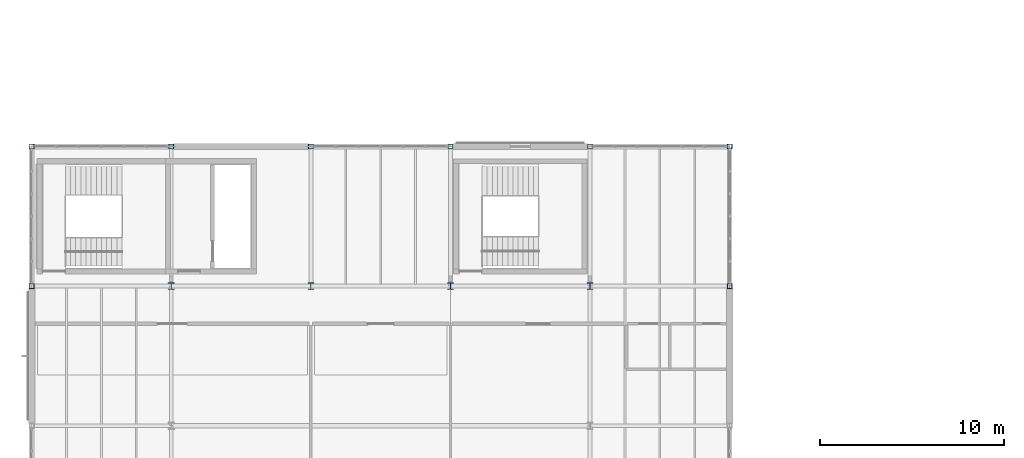
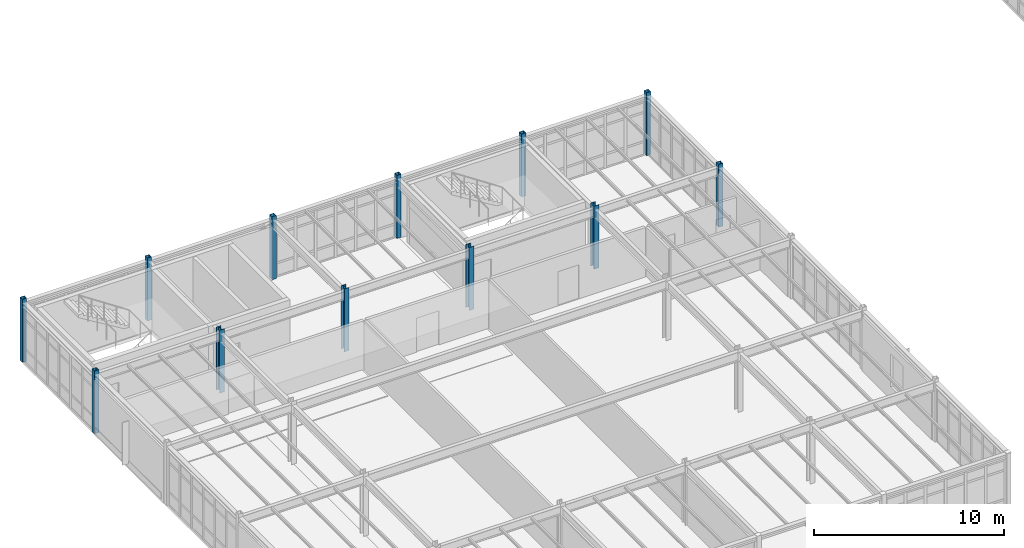
# One storey, part 11 of 189: 12 columns.
"""IFC4 building model written with IfcOpenShell, lengths in metres."""

from ifc_helpers import new_model, si_unit, direction, frame, origin, origin_2d, place, context, subcontext, project, spatial, hollow_rectangle, i_section, extrude, material, material_profile, profile_set, type_object, element, save


model = new_model("IFC4")

# Units and contexts
model_context = context("Model", 3, precision=1e-05, world=origin(), true_north=direction((0.0, 1.0)))
body_context = subcontext(model_context, "Body", "Model", "MODEL_VIEW")
ifc_project = project(units=[si_unit("LENGTHUNIT", "METRE"), si_unit("AREAUNIT", "SQUARE_METRE"), si_unit("VOLUMEUNIT", "CUBIC_METRE"), si_unit("PLANEANGLEUNIT", "RADIAN"), si_unit("MASSUNIT", "GRAM", prefix="KILO")], contexts=[model_context])

# Site, building, storey
site_placement = place(None, origin())
site = spatial("IfcSite", under=ifc_project, at=site_placement, CompositionType="ELEMENT")
building_placement = place(site_placement, origin())
building = spatial("IfcBuilding", under=site, at=building_placement, Name="Montecoro Central Library", CompositionType="ELEMENT")
storey_placement = place(building_placement, frame((0.0, 0.0, 9.179931640625)))
storey = spatial("IfcBuildingStorey", under=building, at=storey_placement, Name="L02", CompositionType="ELEMENT", Elevation=9.179931640625)

# Columns
ifc_material = material(Name="Steel S355", Category="steel")
ifc_material_profile_1 = material_profile(ifc_material, i_section(OverallWidth=0.300048828125, OverallDepth=0.360107421875, WebThickness=0.012451171875, FlangeThickness=0.0224609375, at=origin_2d()), Name="HEB 360")
ifc_profile_set_1 = profile_set([ifc_material_profile_1], Name="Steel S355")
column_type_1 = type_object("IfcColumnType", Name="COL-HEB360", PredefinedType="COLUMN", material=ifc_profile_set_1)
for number, where, z_axis, x_axis, name in (
    (1, (12.60009765625, 103.800048828125, 0.0), (0.0, 0.0, 1.0), (1.0, 0.0, 0.0), "V4-L02-COL-2-P"),
    (2, (20.199951171875, 103.800048828125, 0.0), (0.0, 0.0, 1.0), (1.0, 0.0, 0.0), "V4-L02-COL-3-P"),
    (3, (27.800048828125, 103.800048828125, 0.0), (0.0, 0.0, 1.0), (1.0, 0.0, 0.0), "V4-L02-COL-4-P"),
    (4, (35.39990234375, 103.800048828125, 0.0), (0.0, 0.0, 1.0), (1.0, 0.0, 0.0), "V4-L02-COL-5-P"),
):
    element("IfcColumn", number, at=place(storey_placement, frame(where, z_axis=z_axis, x_axis=x_axis)), inside=storey, type_object=column_type_1, Name=name, PredefinedType="COLUMN", context=body_context, shape_type="SweptSolid", body=[
        extrude(i_section(OverallWidth=0.300048828125, OverallDepth=0.360107421875, WebThickness=0.012451171875, FlangeThickness=0.0224609375, at=origin_2d()), origin(), (0.0, 0.0, 1.0), 4.05517578125),
    ])
ifc_material_profile_2 = material_profile(ifc_material, hollow_rectangle(XDim=0.260009765625, YDim=0.260009765625, WallThickness=0.012451171875, at=origin_2d()), Name="SHS 260x260x12.5")
ifc_profile_set_2 = profile_set([ifc_material_profile_2], Name="Steel S355")
column_type_2 = type_object("IfcColumnType", Name="COL-SHS260", PredefinedType="COLUMN", material=ifc_profile_set_2)
for number, where, z_axis, x_axis, name in (
    (5, (5.0, 103.800048828125, 0.0), (0.0, 0.0, 1.0), (1.0, 0.0, 0.0), "V4-L02-COL-1-P"),
    (6, (5.0, 111.39990234375, 0.0), (0.0, 0.0, 1.0), (1.0, 0.0, 0.0), "V4-L02-COL-1-Q"),
    (7, (12.60009765625, 111.39990234375, 0.0), (0.0, 0.0, 1.0), (1.0, 0.0, 0.0), "V4-L02-COL-2-Q"),
    (8, (20.199951171875, 111.39990234375, 0.0), (0.0, 0.0, 1.0), (1.0, 0.0, 0.0), "V4-L02-COL-3-Q"),
    (9, (27.800048828125, 111.39990234375, 0.0), (0.0, 0.0, 1.0), (1.0, 0.0, 0.0), "V4-L02-COL-4-Q"),
    (10, (35.39990234375, 111.39990234375, 0.0), (0.0, 0.0, 1.0), (1.0, 0.0, 0.0), "V4-L02-COL-5-Q"),
    (11, (43.0, 103.800048828125, 0.0), (0.0, 0.0, 1.0), (1.0, 0.0, 0.0), "V4-L02-COL-6-P"),
    (12, (43.0, 111.39990234375, 0.0), (0.0, 0.0, 1.0), (1.0, 0.0, 0.0), "V4-L02-COL-6-Q"),
):
    element("IfcColumn", number, at=place(storey_placement, frame(where, z_axis=z_axis, x_axis=x_axis)), inside=storey, type_object=column_type_2, Name=name, PredefinedType="COLUMN", context=body_context, shape_type="SweptSolid", body=[
        extrude(hollow_rectangle(XDim=0.260009765625, YDim=0.260009765625, WallThickness=0.012451171875, at=origin_2d()), origin(), (0.0, 0.0, 1.0), 4.05517578125),
    ])

save(model, "model.ifc")
